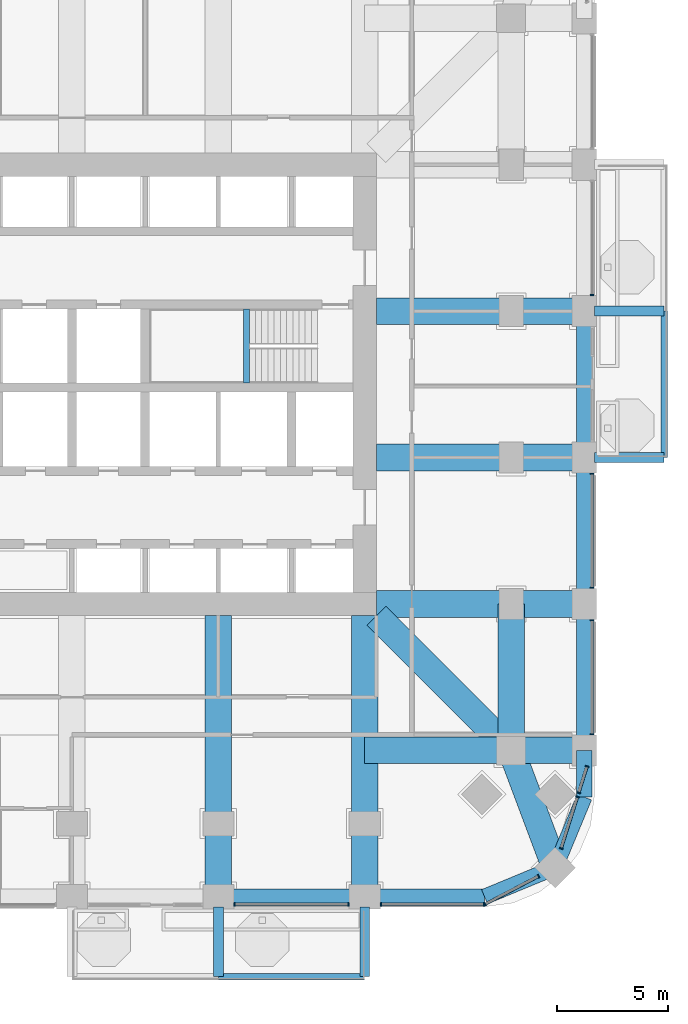
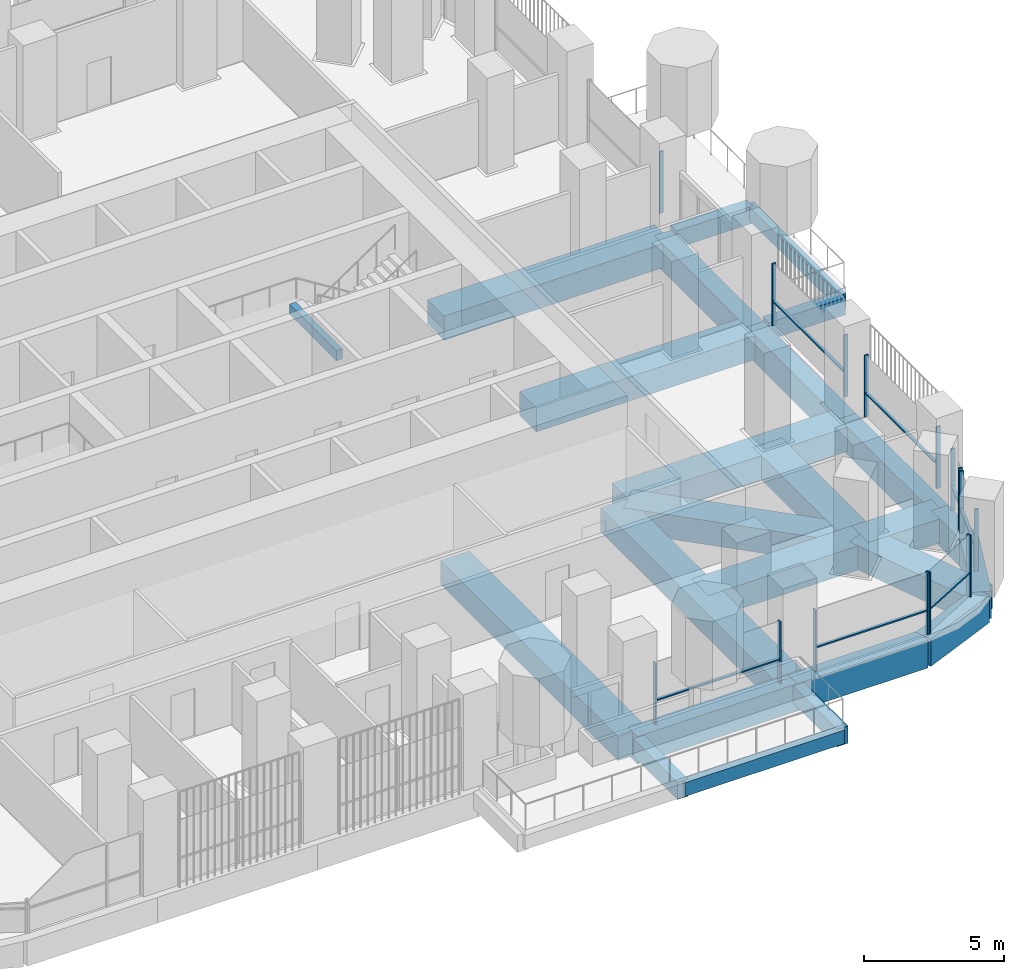
# One storey, part 5 of 22: 25 beams, 22 members, 8 elements without a shape of their own.
"""IFC4 building model written with IfcOpenShell, lengths in metres."""

from ifc_helpers import new_model, si_unit, direction, frame, origin, origin_2d, place, context, subcontext, project, spatial, rectangle, extrude, material, material_profile, profile_set, type_object, element, aggregate, save


model = new_model("IFC4")

# Units and contexts
model_context = context("Model", 3, precision=1e-05, world=origin(), true_north=direction((0.0, 1.0)))
body_context = subcontext(model_context, "Body", "Model", "MODEL_VIEW")
ifc_project = project(units=[si_unit("LENGTHUNIT", "METRE"), si_unit("AREAUNIT", "SQUARE_METRE"), si_unit("VOLUMEUNIT", "CUBIC_METRE"), si_unit("PLANEANGLEUNIT", "RADIAN"), si_unit("MASSUNIT", "GRAM", prefix="KILO")], contexts=[model_context])

# Site, building, storey
site_placement = place(None, origin())
site = spatial("IfcSite", under=ifc_project, at=site_placement, CompositionType="ELEMENT")
building_placement = place(site_placement, origin())
building = spatial("IfcBuilding", under=site, at=building_placement, Name="Cobogo Forest Laboratory Tower", CompositionType="ELEMENT")
storey_placement = place(building_placement, frame((0.0, 0.0, 111.60009765625)))
storey = spatial("IfcBuildingStorey", under=building, at=storey_placement, Name="L25", CompositionType="ELEMENT", Elevation=111.60009765625)

# Beams
ifc_material_1 = material(Name="Concrete HA-40 (C40/50)", Category="concrete")
ifc_material_profile_1 = material_profile(ifc_material_1, rectangle(XDim=0.449951171875, YDim=0.75, at=origin_2d()), Name="RC 450x750")
ifc_profile_set_1 = profile_set([ifc_material_profile_1], Name="Concrete HA-40 (C40/50)")
beam_type_1 = type_object("IfcBeamType", Name="Balcony cantilever beam 450x750", PredefinedType="BEAM", material=ifc_profile_set_1)
for number, where, z_axis, x_axis, name in (
    (1, (33.0, -0.449951171875, -0.625), (0.0, -1.0, 0.0), (1.0, 0.0, 0.0), "CB1 BAL-S1-C2 L25"),
    (2, (39.60009765625, -0.449951171875, -0.625), (0.0, -1.0, 0.0), (1.0, 0.0, 0.0), "CB1 BAL-S1-C3 L25"),
    (3, (49.949951171875, 19.800048828125, -0.625), (1.0, 0.0, 0.0), (0.0, 1.0, 0.0), "CB1 BAL-E1-C1 L25"),
    (4, (49.949951171875, 26.39990234375, -0.625), (1.0, 0.0, 0.0), (0.0, 1.0, 0.0), "CB1 BAL-E1-C2 L25"),
):
    element("IfcBeam", number, at=place(storey_placement, frame(where, z_axis=z_axis, x_axis=x_axis)), inside=storey, type_object=beam_type_1, Name=name, PredefinedType="BEAM", context=body_context, shape_type="SweptSolid", body=[
        extrude(rectangle(XDim=0.449951171875, YDim=0.75, at=origin_2d()), origin(), (0.0, 0.0, 1.0), 3.150146484375),
    ])
ifc_material_profile_2 = material_profile(ifc_material_1, rectangle(XDim=0.300048828125, YDim=0.60009765625, at=origin_2d()), Name="RC 300x600")
ifc_profile_set_2 = profile_set([ifc_material_profile_2], Name="Concrete HA-40 (C40/50)")
beam_type_2 = type_object("IfcBeamType", Name="Balcony edge beam 300x600", PredefinedType="BEAM", material=ifc_profile_set_2)
beam_1_placement = place(storey_placement, frame((33.0, -3.60009765625, -0.550048828125), z_axis=(1.0, 0.0, 0.0), x_axis=(0.0, 1.0, 0.0)))
element("IfcBeam", 5, at=beam_1_placement, inside=storey, type_object=beam_type_2, Name="BB1 BAL-S1-T2 L25", PredefinedType="BEAM", context=body_context, shape_type="SweptSolid", body=[
    extrude(rectangle(XDim=0.300048828125, YDim=0.60009765625, at=origin_2d()), origin(), (0.0, 0.0, 1.0), 6.60009765625),
])
beam_2_placement = place(storey_placement, frame((53.10009765625, 19.800048828125, -0.550048828125), z_axis=(0.0, 1.0, 0.0), x_axis=(-1.0, 0.0, 0.0)))
element("IfcBeam", 6, at=beam_2_placement, inside=storey, type_object=beam_type_2, Name="BB1 BAL-E1-T1 L25", PredefinedType="BEAM", context=body_context, shape_type="SweptSolid", body=[
    extrude(rectangle(XDim=0.300048828125, YDim=0.60009765625, at=origin_2d()), origin(), (0.0, 0.0, 1.0), 6.599853515625),
])
ifc_material_profile_3 = material_profile(ifc_material_1, rectangle(XDim=0.25, YDim=0.449951171875, at=origin_2d()), Name="RC 250x450")
ifc_profile_set_3 = profile_set([ifc_material_profile_3], Name="Concrete HA-40 (C40/50)")
beam_type_3 = type_object("IfcBeamType", Name="LB1 landing beam 250x450", PredefinedType="BEAM", material=ifc_profile_set_3)
beam_3_placement = place(storey_placement, frame((34.27001953125, 23.14990234375, 1.6748046875), z_axis=(0.0, 1.0, 0.0), x_axis=(-1.0, 0.0, 0.0)))
element("IfcBeam", 7, at=beam_3_placement, inside=storey, type_object=beam_type_3, Name="Landing beam ST2 L25", PredefinedType="BEAM", context=body_context, shape_type="SweptSolid", body=[
    extrude(rectangle(XDim=0.25, YDim=0.449951171875, at=origin_2d()), origin(), (0.0, 0.0, 1.0), 3.35009765625),
])
ifc_material_profile_4 = material_profile(ifc_material_1, rectangle(XDim=1.199951171875, YDim=1.050048828125, at=origin_2d()), Name="RC 1200x1050")
ifc_profile_set_4 = profile_set([ifc_material_profile_4], Name="Concrete HA-40 (C40/50)")
beam_type_4 = type_object("IfcBeamType", Name="Laboratory floor wide beam 1200x1050", PredefinedType="BEAM", material=ifc_profile_set_4)
for number, where, z_axis, x_axis, name in (
    (8, (33.0, 12.675048828125, -0.8251953125), (0.0, -1.0, 0.0), (1.0, 0.0, 0.0), "RB1 R-6-S L25"),
    (9, (39.60009765625, 12.675048828125, -0.8251953125), (0.0, -1.0, 0.0), (1.0, 0.0, 0.0), "RB1 R-7-S L25"),
):
    element("IfcBeam", number, at=place(storey_placement, frame(where, z_axis=z_axis, x_axis=x_axis)), inside=storey, type_object=beam_type_4, Name=name, PredefinedType="BEAM", context=body_context, shape_type="SweptSolid", body=[
        extrude(rectangle(XDim=1.199951171875, YDim=1.050048828125, at=origin_2d()), origin(), (0.0, 0.0, 1.0), 12.675048828125),
    ])
for number, where, z_axis, x_axis, name in (
    (10, (40.125, 13.199951171875, -0.8251953125), (1.0, 0.0, 0.0), (0.0, 1.0, 0.0), "RB1 R-C-E L25"),
    (11, (40.125, 19.800048828125, -0.8251953125), (1.0, 0.0, 0.0), (0.0, 1.0, 0.0), "RB1 R-D-E L25"),
    (12, (40.125, 26.39990234375, -0.8251953125), (1.0, 0.0, 0.0), (0.0, 1.0, 0.0), "RB1 R-E-E L25"),
):
    element("IfcBeam", number, at=place(storey_placement, frame(where, z_axis=z_axis, x_axis=x_axis)), inside=storey, type_object=beam_type_4, Name=name, PredefinedType="BEAM", context=body_context, shape_type="SweptSolid", body=[
        extrude(rectangle(XDim=1.199951171875, YDim=1.050048828125, at=origin_2d()), origin(), (0.0, 0.0, 1.0), 9.375),
    ])
beam_4_placement = place(storey_placement, frame((46.199951171875, 6.60009765625, -0.8251953125), z_axis=(0.0, 1.0, 0.0), x_axis=(-1.0, 0.0, 0.0)))
element("IfcBeam", 13, at=beam_4_placement, inside=storey, type_object=beam_type_4, Name="RB1 G-SE-XC L25", PredefinedType="BEAM", context=body_context, shape_type="SweptSolid", body=[
    extrude(rectangle(XDim=1.199951171875, YDim=1.050048828125, at=origin_2d()), origin(), (0.0, 0.0, 1.0), 6.599853515625),
])
beam_5_placement = place(storey_placement, frame((49.5, 6.60009765625, -0.8251953125), z_axis=(-1.0, 0.0, 0.0), x_axis=(0.0, -1.0, 0.0)))
element("IfcBeam", 14, at=beam_5_placement, inside=storey, type_object=beam_type_4, Name="RB1 G-SE-YF L25", PredefinedType="BEAM", context=body_context, shape_type="SweptSolid", body=[
    extrude(rectangle(XDim=1.199951171875, YDim=1.050048828125, at=origin_2d()), origin(), (0.0, 0.0, 1.0), 3.300048828125),
])
beam_6_placement = place(storey_placement, frame((46.199951171875, 6.60009765625, -0.8251953125), z_axis=(-1.0, 0.0, 0.0), x_axis=(0.0, -1.0, 0.0)))
element("IfcBeam", 15, at=beam_6_placement, inside=storey, type_object=beam_type_4, Name="RB1 G-SE-YC L25", PredefinedType="BEAM", context=body_context, shape_type="SweptSolid", body=[
    extrude(rectangle(XDim=1.199951171875, YDim=1.050048828125, at=origin_2d()), origin(), (0.0, 0.0, 1.0), 6.599853515625),
])
beam_7_placement = place(storey_placement, frame((48.181884765625, 1.318115234375, -0.8251953125), z_axis=(-0.351308391925, 0.936259800356, 0.0), x_axis=(-0.936259800356, -0.351308391925, 0.0)))
element("IfcBeam", 16, at=beam_7_placement, inside=storey, type_object=beam_type_4, Name="RB1 G-SE-D1 L25", PredefinedType="BEAM", context=body_context, shape_type="SweptSolid", body=[
    extrude(rectangle(XDim=1.199951171875, YDim=1.050048828125, at=origin_2d()), origin(), (0.0, 0.0, 1.0), 5.6416015625),
])
beam_8_placement = place(storey_placement, frame((46.199951171875, 6.60009765625, -0.8251953125), z_axis=(-0.707106781187, 0.707106781187, 0.0), x_axis=(-0.707106781187, -0.707106781187, 0.0)))
element("IfcBeam", 17, at=beam_8_placement, inside=storey, type_object=beam_type_4, Name="RB1 G-SE-D2 L25", PredefinedType="BEAM", context=body_context, shape_type="SweptSolid", body=[
    extrude(rectangle(XDim=1.199951171875, YDim=1.050048828125, at=origin_2d()), origin(), (0.0, 0.0, 1.0), 8.59130859375),
])

# Curtain wall, members
ifc_material_2 = material(Name="Aluminium curtain wall", Category="aluminium")
curtain_wall_type = type_object("IfcCurtainWallType", Name="CW-1 unitised curtain wall, clear glazing, laboratory floors zones A and B", PredefinedType="USERDEFINED", material=ifc_material_2)
curtain_wall_1_placement = place(storey_placement, origin())
curtain_wall_1 = element("IfcCurtainWall", 18, at=curtain_wall_1_placement, inside=storey, type_object=curtain_wall_type, Name="Curtain wall 05 L25", ObjectType="UNITISED CURTAIN WALL", PredefinedType="USERDEFINED")
ifc_material_3 = material(Name="Aluminium mullion", Category="aluminium")
ifc_material_profile_5 = material_profile(ifc_material_3, rectangle(XDim=0.06005859375, YDim=0.159912109375, at=origin_2d()), Name="AL 60x160")
ifc_profile_set_5 = profile_set([ifc_material_profile_5], Name="Aluminium mullion")
member_type_1 = type_object("IfcMemberType", Name="MU-1 aluminium mullion 60x160", PredefinedType="MULLION", material=ifc_profile_set_5)
member_1_placement = place(storey_placement, frame((33.72998046875, -0.35009765625, 0.0), z_axis=(0.0, 0.0, 1.0), x_axis=(1.0, 0.0, 0.0)))
member_1 = element("IfcMember", 19, at=member_1_placement, type_object=member_type_1, Name="CW-1 mullion 1", PredefinedType="MULLION", context=body_context, shape_type="SweptSolid", body=[
    extrude(rectangle(XDim=0.06005859375, YDim=0.159912109375, at=origin_2d()), origin(), (0.0, 0.0, 1.0), 2.699951171875),
])
member_2_placement = place(storey_placement, frame((38.8701171875, -0.35009765625, 0.0), z_axis=(0.0, 0.0, 1.0), x_axis=(1.0, 0.0, 0.0)))
member_2 = element("IfcMember", 20, at=member_2_placement, type_object=member_type_1, Name="CW-1 mullion 2", PredefinedType="MULLION", context=body_context, shape_type="SweptSolid", body=[
    extrude(rectangle(XDim=0.06005859375, YDim=0.159912109375, at=origin_2d()), origin(), (0.0, 0.0, 1.0), 2.699951171875),
])

curtain_wall_2_placement = place(storey_placement, origin())
curtain_wall_2 = element("IfcCurtainWall", 21, at=curtain_wall_2_placement, inside=storey, type_object=curtain_wall_type, Name="Curtain wall 06 L25", ObjectType="UNITISED CURTAIN WALL", PredefinedType="USERDEFINED")
member_3_placement = place(storey_placement, frame((40.330078125, -0.35009765625, 0.0), z_axis=(0.0, 0.0, 1.0), x_axis=(1.0, 0.0, 0.0)))
member_3 = element("IfcMember", 22, at=member_3_placement, type_object=member_type_1, Name="CW-1 mullion 1", PredefinedType="MULLION", context=body_context, shape_type="SweptSolid", body=[
    extrude(rectangle(XDim=0.06005859375, YDim=0.159912109375, at=origin_2d()), origin(), (0.0, 0.0, 1.0), 2.699951171875),
])
member_4_placement = place(storey_placement, frame((44.969970703125, -0.35009765625, 0.0), z_axis=(0.0, 0.0, 1.0), x_axis=(1.0, 0.0, 0.0)))
member_4 = element("IfcMember", 23, at=member_4_placement, type_object=member_type_1, Name="CW-1 mullion 2", PredefinedType="MULLION", context=body_context, shape_type="SweptSolid", body=[
    extrude(rectangle(XDim=0.06005859375, YDim=0.159912109375, at=origin_2d()), origin(), (0.0, 0.0, 1.0), 2.699951171875),
])

curtain_wall_3_placement = place(storey_placement, origin())
curtain_wall_3 = element("IfcCurtainWall", 24, at=curtain_wall_3_placement, inside=storey, type_object=curtain_wall_type, Name="Curtain wall 07 L25", ObjectType="UNITISED CURTAIN WALL", PredefinedType="USERDEFINED")
member_5_placement = place(storey_placement, frame((45.026611328125, -0.336181640625, 0.0), z_axis=(0.0, 0.0, 1.0), x_axis=(0.885686547075, 0.464283685186, 0.0)))
member_5 = element("IfcMember", 25, at=member_5_placement, type_object=member_type_1, Name="CW-1 mullion 1", PredefinedType="MULLION", context=body_context, shape_type="SweptSolid", body=[
    extrude(rectangle(XDim=0.06005859375, YDim=0.159912109375, at=origin_2d()), origin(), (0.0, 0.0, 1.0), 2.699951171875),
])
member_6_placement = place(storey_placement, frame((47.431640625, 0.9248046875, 0.0), z_axis=(0.0, 0.0, 1.0), x_axis=(0.885686547075, 0.464283685186, 0.0)))
member_6 = element("IfcMember", 26, at=member_6_placement, type_object=member_type_1, Name="CW-1 mullion 2", PredefinedType="MULLION", context=body_context, shape_type="SweptSolid", body=[
    extrude(rectangle(XDim=0.06005859375, YDim=0.159912109375, at=origin_2d()), origin(), (0.0, 0.0, 1.0), 2.699951171875),
])

curtain_wall_4_placement = place(storey_placement, origin())
curtain_wall_4 = element("IfcCurtainWall", 27, at=curtain_wall_4_placement, inside=storey, type_object=curtain_wall_type, Name="Curtain wall 08 L25", ObjectType="UNITISED CURTAIN WALL", PredefinedType="USERDEFINED")
member_7_placement = place(storey_placement, frame((48.455810546875, 2.18505859375, 0.0), z_axis=(0.0, 0.0, 1.0), x_axis=(0.301135291996, 0.953581425949, 0.0)))
member_7 = element("IfcMember", 28, at=member_7_placement, type_object=member_type_1, Name="CW-1 mullion 1", PredefinedType="MULLION", context=body_context, shape_type="SweptSolid", body=[
    extrude(rectangle(XDim=0.06005859375, YDim=0.159912109375, at=origin_2d()), origin(), (0.0, 0.0, 1.0), 2.699951171875),
])
member_8_placement = place(storey_placement, frame((49.18701171875, 4.500244140625, 0.0), z_axis=(0.0, 0.0, 1.0), x_axis=(0.301135291996, 0.953581425949, 0.0)))
member_8 = element("IfcMember", 29, at=member_8_placement, type_object=member_type_1, Name="CW-1 mullion 2", PredefinedType="MULLION", context=body_context, shape_type="SweptSolid", body=[
    extrude(rectangle(XDim=0.06005859375, YDim=0.159912109375, at=origin_2d()), origin(), (0.0, 0.0, 1.0), 2.699951171875),
])

curtain_wall_5_placement = place(storey_placement, origin())
curtain_wall_5 = element("IfcCurtainWall", 30, at=curtain_wall_5_placement, inside=storey, type_object=curtain_wall_type, Name="Curtain wall 09 L25", ObjectType="UNITISED CURTAIN WALL", PredefinedType="USERDEFINED")
member_9_placement = place(storey_placement, frame((49.247802734375, 4.69287109375, 0.0), z_axis=(0.0, 0.0, 1.0), x_axis=(0.301135356805, 0.953581405483, 0.0)))
member_9 = element("IfcMember", 31, at=member_9_placement, type_object=member_type_1, Name="CW-1 mullion 1", PredefinedType="MULLION", context=body_context, shape_type="SweptSolid", body=[
    extrude(rectangle(XDim=0.06005859375, YDim=0.159912109375, at=origin_2d()), origin(), (0.0, 0.0, 1.0), 2.699951171875),
])
member_10_placement = place(storey_placement, frame((49.619873046875, 5.871337890625, 0.0), z_axis=(0.0, 0.0, 1.0), x_axis=(0.301135356805, 0.953581405483, 0.0)))
member_10 = element("IfcMember", 32, at=member_10_placement, type_object=member_type_1, Name="CW-1 mullion 2", PredefinedType="MULLION", context=body_context, shape_type="SweptSolid", body=[
    extrude(rectangle(XDim=0.06005859375, YDim=0.159912109375, at=origin_2d()), origin(), (0.0, 0.0, 1.0), 2.699951171875),
])

curtain_wall_6_placement = place(storey_placement, origin())
curtain_wall_6 = element("IfcCurtainWall", 33, at=curtain_wall_6_placement, inside=storey, type_object=curtain_wall_type, Name="Curtain wall 10 L25", ObjectType="UNITISED CURTAIN WALL", PredefinedType="USERDEFINED")
member_11_placement = place(storey_placement, frame((49.85009765625, 7.330078125, 0.0), z_axis=(0.0, 0.0, 1.0), x_axis=(0.0, 1.0, 0.0)))
member_11 = element("IfcMember", 34, at=member_11_placement, type_object=member_type_1, Name="CW-1 mullion 1", PredefinedType="MULLION", context=body_context, shape_type="SweptSolid", body=[
    extrude(rectangle(XDim=0.06005859375, YDim=0.159912109375, at=origin_2d()), origin(), (0.0, 0.0, 1.0), 2.699951171875),
])
member_12_placement = place(storey_placement, frame((49.85009765625, 12.469970703125, 0.0), z_axis=(0.0, 0.0, 1.0), x_axis=(0.0, 1.0, 0.0)))
member_12 = element("IfcMember", 35, at=member_12_placement, type_object=member_type_1, Name="CW-1 mullion 2", PredefinedType="MULLION", context=body_context, shape_type="SweptSolid", body=[
    extrude(rectangle(XDim=0.06005859375, YDim=0.159912109375, at=origin_2d()), origin(), (0.0, 0.0, 1.0), 2.699951171875),
])

curtain_wall_7_placement = place(storey_placement, origin())
curtain_wall_7 = element("IfcCurtainWall", 36, at=curtain_wall_7_placement, inside=storey, type_object=curtain_wall_type, Name="Curtain wall 11 L25", ObjectType="UNITISED CURTAIN WALL", PredefinedType="USERDEFINED")
member_13_placement = place(storey_placement, frame((49.85009765625, 13.929931640625, 0.0), z_axis=(0.0, 0.0, 1.0), x_axis=(0.0, 1.0, 0.0)))
member_13 = element("IfcMember", 37, at=member_13_placement, type_object=member_type_1, Name="CW-1 mullion 1", PredefinedType="MULLION", context=body_context, shape_type="SweptSolid", body=[
    extrude(rectangle(XDim=0.06005859375, YDim=0.159912109375, at=origin_2d()), origin(), (0.0, 0.0, 1.0), 2.699951171875),
])
member_14_placement = place(storey_placement, frame((49.85009765625, 19.070068359375, 0.0), z_axis=(0.0, 0.0, 1.0), x_axis=(0.0, 1.0, 0.0)))
member_14 = element("IfcMember", 38, at=member_14_placement, type_object=member_type_1, Name="CW-1 mullion 2", PredefinedType="MULLION", context=body_context, shape_type="SweptSolid", body=[
    extrude(rectangle(XDim=0.06005859375, YDim=0.159912109375, at=origin_2d()), origin(), (0.0, 0.0, 1.0), 2.699951171875),
])

# Curtain wall, member
curtain_wall_8_placement = place(storey_placement, origin())
curtain_wall_8 = element("IfcCurtainWall", 39, at=curtain_wall_8_placement, inside=storey, type_object=curtain_wall_type, Name="Curtain wall 13 L25", ObjectType="UNITISED CURTAIN WALL", PredefinedType="USERDEFINED")
member_15_placement = place(storey_placement, frame((49.85009765625, 27.1298828125, 0.0), z_axis=(0.0, 0.0, 1.0), x_axis=(0.0, 1.0, 0.0)))
member_15 = element("IfcMember", 40, at=member_15_placement, type_object=member_type_1, Name="CW-1 mullion 1", PredefinedType="MULLION", context=body_context, shape_type="SweptSolid", body=[
    extrude(rectangle(XDim=0.06005859375, YDim=0.159912109375, at=origin_2d()), origin(), (0.0, 0.0, 1.0), 2.699951171875),
])
aggregate(curtain_wall_8, [member_15])

# Beams
ifc_material_profile_6 = material_profile(ifc_material_1, rectangle(XDim=0.699951171875, YDim=1.199951171875, at=origin_2d()), Name="RC 700x1200")
ifc_profile_set_6 = profile_set([ifc_material_profile_6], Name="Concrete HA-40 (C40/50)")
beam_type_5 = type_object("IfcBeamType", Name="Perimeter edge beam 700x1200", PredefinedType="BEAM", material=ifc_profile_set_6)
beam_9_placement = place(storey_placement, frame((33.0, 0.0, -0.900146484375), z_axis=(1.0, 0.0, 0.0), x_axis=(0.0, 1.0, 0.0)))
element("IfcBeam", 41, at=beam_9_placement, inside=storey, type_object=beam_type_5, Name="EB1 E-S4 L25", PredefinedType="BEAM", context=body_context, shape_type="SweptSolid", body=[
    extrude(rectangle(XDim=0.699951171875, YDim=1.199951171875, at=origin_2d()), origin(), (0.0, 0.0, 1.0), 6.60009765625),
])
beam_10_placement = place(storey_placement, frame((49.5, 6.60009765625, -0.900146484375), z_axis=(0.0, 1.0, 0.0), x_axis=(-1.0, 0.0, 0.0)))
element("IfcBeam", 42, at=beam_10_placement, inside=storey, type_object=beam_type_5, Name="EB1 E-E1 L25", PredefinedType="BEAM", context=body_context, shape_type="SweptSolid", body=[
    extrude(rectangle(XDim=0.699951171875, YDim=1.199951171875, at=origin_2d()), origin(), (0.0, 0.0, 1.0), 6.599853515625),
])
beam_11_placement = place(storey_placement, frame((49.5, 13.199951171875, -0.900146484375), z_axis=(0.0, 1.0, 0.0), x_axis=(-1.0, 0.0, 0.0)))
element("IfcBeam", 43, at=beam_11_placement, inside=storey, type_object=beam_type_5, Name="EB1 E-E2 L25", PredefinedType="BEAM", context=body_context, shape_type="SweptSolid", body=[
    extrude(rectangle(XDim=0.699951171875, YDim=1.199951171875, at=origin_2d()), origin(), (0.0, 0.0, 1.0), 6.60009765625),
])
beam_12_placement = place(storey_placement, frame((49.5, 19.800048828125, -0.900146484375), z_axis=(0.0, 1.0, 0.0), x_axis=(-1.0, 0.0, 0.0)))
element("IfcBeam", 44, at=beam_12_placement, inside=storey, type_object=beam_type_5, Name="EB1 E-E3 L25", PredefinedType="BEAM", context=body_context, shape_type="SweptSolid", body=[
    extrude(rectangle(XDim=0.699951171875, YDim=1.199951171875, at=origin_2d()), origin(), (0.0, 0.0, 1.0), 6.599853515625),
])
beam_13_placement = place(storey_placement, frame((39.60009765625, 0.0, -0.900146484375), z_axis=(1.0, 0.0, 0.0), x_axis=(0.0, 1.0, 0.0)))
element("IfcBeam", 45, at=beam_13_placement, inside=storey, type_object=beam_type_5, Name="EB1 E-SES1 L25", PredefinedType="BEAM", context=body_context, shape_type="SweptSolid", body=[
    extrude(rectangle(XDim=0.699951171875, YDim=1.199951171875, at=origin_2d()), origin(), (0.0, 0.0, 1.0), 5.39990234375),
])
beam_14_placement = place(storey_placement, frame((45.0, 0.0, -0.900146484375), z_axis=(0.923865631356, 0.382716990999, 0.0), x_axis=(-0.382716990999, 0.923865631356, 0.0)))
element("IfcBeam", 46, at=beam_14_placement, inside=storey, type_object=beam_type_5, Name="EB1 E-SES2 L25", PredefinedType="BEAM", context=body_context, shape_type="SweptSolid", body=[
    extrude(rectangle(XDim=0.699951171875, YDim=1.199951171875, at=origin_2d()), origin(), (0.0, 0.0, 1.0), 3.444091796875),
])
beam_15_placement = place(storey_placement, frame((49.5, 6.60009765625, -0.900146484375), z_axis=(0.0, -1.0, 0.0), x_axis=(1.0, 0.0, 0.0)))
element("IfcBeam", 47, at=beam_15_placement, inside=storey, type_object=beam_type_5, Name="EB1 E-SEE1 L25", PredefinedType="BEAM", context=body_context, shape_type="SweptSolid", body=[
    extrude(rectangle(XDim=0.699951171875, YDim=1.199951171875, at=origin_2d()), origin(), (0.0, 0.0, 1.0), 2.10009765625),
])
beam_16_placement = place(storey_placement, frame((49.5, 4.5, -0.900146484375), z_axis=(-0.382716990999, -0.923865631356, 0.0), x_axis=(0.923865631356, -0.382716990999, 0.0)))
element("IfcBeam", 48, at=beam_16_placement, inside=storey, type_object=beam_type_5, Name="EB1 E-SEE2 L25", PredefinedType="BEAM", context=body_context, shape_type="SweptSolid", body=[
    extrude(rectangle(XDim=0.699951171875, YDim=1.199951171875, at=origin_2d()), origin(), (0.0, 0.0, 1.0), 3.444091796875),
])

# Member
ifc_material_4 = material(Name="Aluminium transom", Category="aluminium")
ifc_material_profile_7 = material_profile(ifc_material_4, rectangle(XDim=0.1201171875, YDim=0.06005859375, at=origin_2d()), Name="AL 60x120")
ifc_profile_set_7 = profile_set([ifc_material_profile_7], Name="Aluminium transom")
member_type_2 = type_object("IfcMemberType", Name="TR-1 aluminium transom 60x120", PredefinedType="USERDEFINED", material=ifc_profile_set_7)
member_16_placement = place(storey_placement, frame((33.760009765625, -0.35009765625, 1.0498046875), z_axis=(1.0, 0.0, 0.0), x_axis=(0.0, 1.0, 0.0)))
member_16 = element("IfcMember", 49, at=member_16_placement, type_object=member_type_2, Name="CW-1 transom 1.1", ObjectType="TRANSOM", PredefinedType="USERDEFINED", context=body_context, shape_type="SweptSolid", body=[
    extrude(rectangle(XDim=0.1201171875, YDim=0.06005859375, at=origin_2d()), origin(), (0.0, 0.0, 1.0), 5.080078125),
])

aggregate(curtain_wall_1, [member_1, member_2, member_16])

member_17_placement = place(storey_placement, frame((40.360107421875, -0.35009765625, 1.0498046875), z_axis=(1.0, 0.0, 0.0), x_axis=(0.0, 1.0, 0.0)))
member_17 = element("IfcMember", 50, at=member_17_placement, type_object=member_type_2, Name="CW-1 transom 1.1", ObjectType="TRANSOM", PredefinedType="USERDEFINED", context=body_context, shape_type="SweptSolid", body=[
    extrude(rectangle(XDim=0.1201171875, YDim=0.06005859375, at=origin_2d()), origin(), (0.0, 0.0, 1.0), 4.579833984375),
])

aggregate(curtain_wall_2, [member_3, member_4, member_17])

member_18_placement = place(storey_placement, frame((45.05322265625, -0.322021484375, 1.0498046875), z_axis=(0.885674922116, 0.464305860758, 0.0), x_axis=(-0.464305860758, 0.885674922116, 0.0)))
member_18 = element("IfcMember", 51, at=member_18_placement, type_object=member_type_2, Name="CW-1 transom 1.1", ObjectType="TRANSOM", PredefinedType="USERDEFINED", context=body_context, shape_type="SweptSolid", body=[
    extrude(rectangle(XDim=0.1201171875, YDim=0.06005859375, at=origin_2d()), origin(), (0.0, 0.0, 1.0), 2.6552734375),
])

aggregate(curtain_wall_3, [member_5, member_6, member_18])

member_19_placement = place(storey_placement, frame((48.46484375, 2.213623046875, 1.0498046875), z_axis=(0.301156039198, 0.953574873859, 0.0), x_axis=(-0.953574873859, 0.301156039198, 0.0)))
member_19 = element("IfcMember", 52, at=member_19_placement, type_object=member_type_2, Name="CW-1 transom 1.1", ObjectType="TRANSOM", PredefinedType="USERDEFINED", context=body_context, shape_type="SweptSolid", body=[
    extrude(rectangle(XDim=0.1201171875, YDim=0.06005859375, at=origin_2d()), origin(), (0.0, 0.0, 1.0), 2.367919921875),
])

aggregate(curtain_wall_4, [member_7, member_8, member_19])

member_20_placement = place(storey_placement, frame((49.2568359375, 4.7216796875, 1.0498046875), z_axis=(0.301111490799, 0.953588941897, 0.0), x_axis=(-0.953588941897, 0.301111490799, 0.0)))
member_20 = element("IfcMember", 53, at=member_20_placement, type_object=member_type_2, Name="CW-1 transom 1.1", ObjectType="TRANSOM", PredefinedType="USERDEFINED", context=body_context, shape_type="SweptSolid", body=[
    extrude(rectangle(XDim=0.1201171875, YDim=0.06005859375, at=origin_2d()), origin(), (0.0, 0.0, 1.0), 1.175537109375),
])

aggregate(curtain_wall_5, [member_9, member_10, member_20])

member_21_placement = place(storey_placement, frame((49.85009765625, 7.360107421875, 1.0498046875), z_axis=(0.0, 1.0, 0.0), x_axis=(-1.0, 0.0, 0.0)))
member_21 = element("IfcMember", 54, at=member_21_placement, type_object=member_type_2, Name="CW-1 transom 1.1", ObjectType="TRANSOM", PredefinedType="USERDEFINED", context=body_context, shape_type="SweptSolid", body=[
    extrude(rectangle(XDim=0.1201171875, YDim=0.06005859375, at=origin_2d()), origin(), (0.0, 0.0, 1.0), 5.079833984375),
])

aggregate(curtain_wall_6, [member_11, member_12, member_21])

member_22_placement = place(storey_placement, frame((49.85009765625, 13.9599609375, 1.0498046875), z_axis=(0.0, 1.0, 0.0), x_axis=(-1.0, 0.0, 0.0)))
member_22 = element("IfcMember", 55, at=member_22_placement, type_object=member_type_2, Name="CW-1 transom 1.1", ObjectType="TRANSOM", PredefinedType="USERDEFINED", context=body_context, shape_type="SweptSolid", body=[
    extrude(rectangle(XDim=0.1201171875, YDim=0.06005859375, at=origin_2d()), origin(), (0.0, 0.0, 1.0), 5.080078125),
])

aggregate(curtain_wall_7, [member_13, member_14, member_22])

save(model, "model.ifc")
